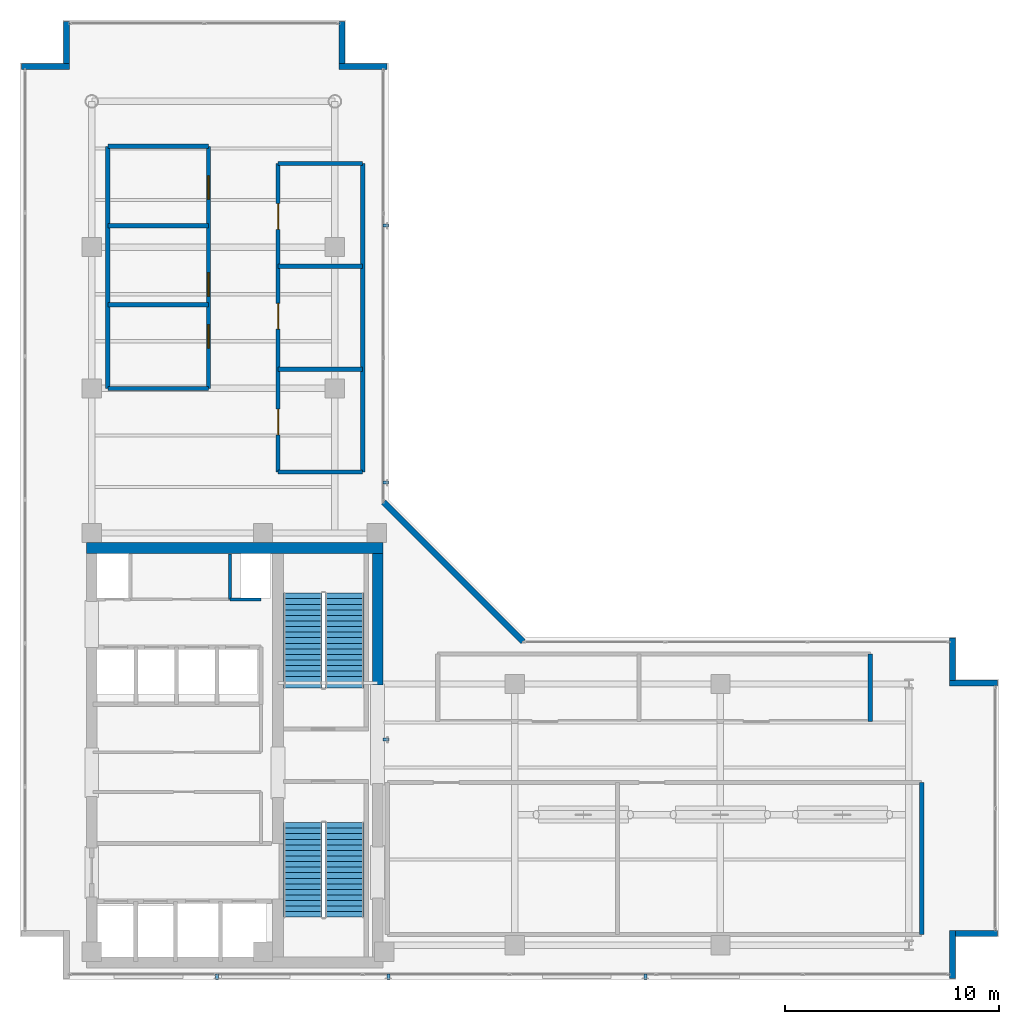
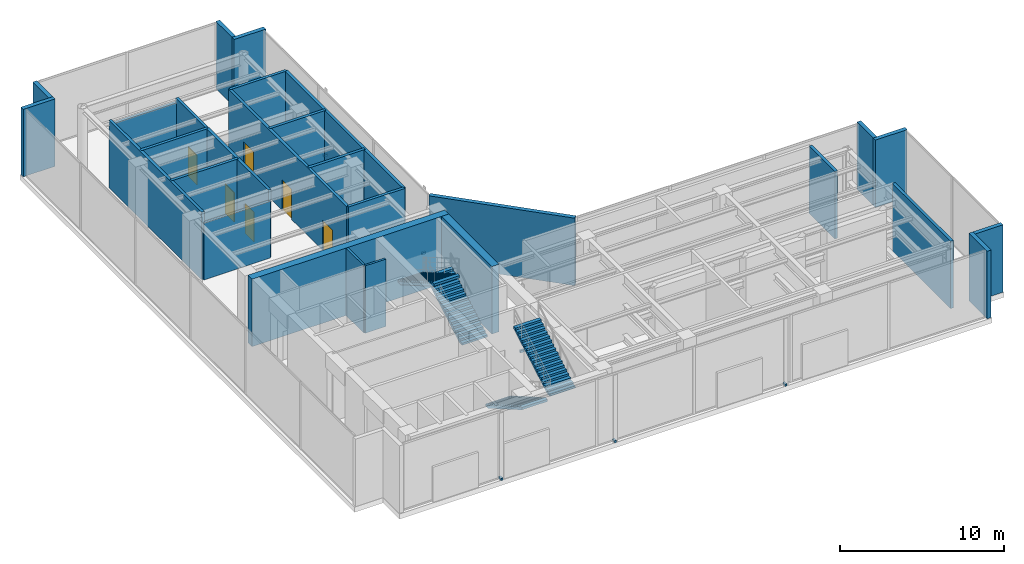
# One storey, part 26 of 29: 27 walls, 6 discrete accessories, 6 doors, 4 stair flights, 6 openings, 2 elements without a shape of their own.
"""IFC4 building model written with IfcOpenShell, lengths in metres."""

from ifc_helpers import new_model, si_unit, direction, frame, frame_2d, origin, origin_with_axes, origin_2d, place, context, subcontext, project, spatial, polyline, rectangle, outline, extrude, source, transform, mapped, material, layer, layer_set, type_object, element, fill, aggregate, save


model = new_model("IFC4")

# Units and contexts
model_context = context("Model", 3, precision=1e-05, world=origin(), true_north=direction((0.0, 1.0)))
body_context = subcontext(model_context, "Body", "Model", "MODEL_VIEW")
ifc_project = project(units=[si_unit("LENGTHUNIT", "METRE"), si_unit("AREAUNIT", "SQUARE_METRE"), si_unit("VOLUMEUNIT", "CUBIC_METRE"), si_unit("PLANEANGLEUNIT", "RADIAN"), si_unit("MASSUNIT", "GRAM", prefix="KILO")], contexts=[model_context])

# Site, building, storey
site_placement = place(None, origin())
site = spatial("IfcSite", under=ifc_project, at=site_placement, CompositionType="ELEMENT")
building_placement = place(site_placement, origin())
building = spatial("IfcBuilding", under=site, at=building_placement, Name="Kolvaren Waterfront Exchange", CompositionType="ELEMENT")
storey_placement = place(building_placement, frame((0.0, 0.0, 338.800048828125)))
storey = spatial("IfcBuildingStorey", under=building, at=storey_placement, Name="L87", CompositionType="ELEMENT", Elevation=338.800048828125)

# Walls
ifc_material_1 = material(Name="Precast concrete C40/50", Category="concrete")
ifc_layer_1 = layer(ifc_material_1, 0.280029296875, Name="Precast concrete C40/50")
ifc_layer_set_1 = layer_set([ifc_layer_1], Name="Precast concrete C40/50")
wall_type_1 = type_object("IfcWallType", Name="ARC-EXT-TERR-280", PredefinedType="SOLIDWALL", material=ifc_layer_set_1)
wall_1_placement = place(storey_placement, frame((47.639892578125, 3.659912109375, 0.0), z_axis=(0.0, 0.0, 1.0), x_axis=(0.0, 1.0, 0.0)))
element("IfcWall", 1, at=wall_1_placement, inside=storey, type_object=wall_type_1, Name="L87 notched corner spandrel pier SE-A", PredefinedType="SOLIDWALL", context=body_context, shape_type="SweptSolid", body=[
    extrude(rectangle(XDim=2.239990234375, YDim=0.280029296875, at=frame_2d((1.1201171875, 0.0))), origin(), (0.0, 0.0, 1.0), 5.02001953125),
])
wall_2_placement = place(storey_placement, frame((47.780029296875, 5.760009765625, 0.0), z_axis=(0.0, 0.0, 1.0), x_axis=(1.0, 0.0, 0.0)))
element("IfcWall", 2, at=wall_2_placement, inside=storey, type_object=wall_type_1, Name="L87 notched corner spandrel pier SE-B", PredefinedType="SOLIDWALL", context=body_context, shape_type="SweptSolid", body=[
    extrude(rectangle(XDim=1.9599609375, YDim=0.280029296875, at=frame_2d((0.97998046875, 0.0))), origin(), (0.0, 0.0, 1.0), 5.02001953125),
])
wall_3_placement = place(storey_placement, frame((47.639892578125, 17.56494140625, 0.0), z_axis=(0.0, 0.0, 1.0), x_axis=(0.0, 1.0, 0.0)))
element("IfcWall", 3, at=wall_3_placement, inside=storey, type_object=wall_type_1, Name="L87 notched corner spandrel pier ENE-A", PredefinedType="SOLIDWALL", context=body_context, shape_type="SweptSolid", body=[
    extrude(rectangle(XDim=1.97509765625, YDim=0.280029296875, at=frame_2d((0.987548828125, 0.0))), origin(), (0.0, 0.0, 1.0), 5.02001953125),
])
for number, where, z_axis, x_axis, name in (
    (4, (47.5, 17.43994140625, 0.0), (0.0, 0.0, 1.0), (1.0, 0.0, 0.0), "L87 notched corner spandrel pier ENE-B"),
    (5, (19.0, 46.239990234375, 0.0), (0.0, 0.0, 1.0), (1.0, 0.0, 0.0), "L87 notched corner spandrel pier NNE-A"),
):
    element("IfcWall", number, at=place(storey_placement, frame(where, z_axis=z_axis, x_axis=x_axis)), inside=storey, type_object=wall_type_1, Name=name, PredefinedType="SOLIDWALL", context=body_context, shape_type="SweptSolid", body=[
        extrude(rectangle(XDim=2.239990234375, YDim=0.280029296875, at=frame_2d((1.1201171875, 0.0))), origin(), (0.0, 0.0, 1.0), 5.02001953125),
    ])
wall_4_placement = place(storey_placement, frame((19.139892578125, 46.3798828125, 0.0), z_axis=(0.0, 0.0, 1.0), x_axis=(0.0, 1.0, 0.0)))
element("IfcWall", 6, at=wall_4_placement, inside=storey, type_object=wall_type_1, Name="L87 notched corner spandrel pier NNE-B", PredefinedType="SOLIDWALL", context=body_context, shape_type="SweptSolid", body=[
    extrude(rectangle(XDim=1.960205078125, YDim=0.280029296875, at=frame_2d((0.97998046875, 0.0))), origin(), (0.0, 0.0, 1.0), 5.02001953125),
])
wall_5_placement = place(storey_placement, frame((4.159912109375, 46.239990234375, 0.0), z_axis=(0.0, 0.0, 1.0), x_axis=(1.0, 0.0, 0.0)))
element("IfcWall", 7, at=wall_5_placement, inside=storey, type_object=wall_type_1, Name="L87 notched corner spandrel pier NW-A", PredefinedType="SOLIDWALL", context=body_context, shape_type="SweptSolid", body=[
    extrude(rectangle(XDim=2.239990234375, YDim=0.280029296875, at=frame_2d((1.1201171875, 0.0))), origin(), (0.0, 0.0, 1.0), 5.02001953125),
])
wall_6_placement = place(storey_placement, frame((6.260009765625, 46.3798828125, 0.0), z_axis=(0.0, 0.0, 1.0), x_axis=(0.0, 1.0, 0.0)))
element("IfcWall", 8, at=wall_6_placement, inside=storey, type_object=wall_type_1, Name="L87 notched corner spandrel pier NW-B", PredefinedType="SOLIDWALL", context=body_context, shape_type="SweptSolid", body=[
    extrude(rectangle(XDim=1.960205078125, YDim=0.280029296875, at=frame_2d((0.97998046875, 0.0))), origin(), (0.0, 0.0, 1.0), 5.02001953125),
])
wall_7_placement = place(storey_placement, frame((27.5849609375, 19.375, 0.0), z_axis=(0.0, 0.0, 1.0), x_axis=(-0.707106781187, 0.707106781187, 0.0)))
element("IfcWall", 9, at=wall_7_placement, inside=storey, type_object=wall_type_1, Name="L87 notched corner spandrel pier ELBOW", PredefinedType="SOLIDWALL", context=body_context, shape_type="SweptSolid", body=[
    extrude(rectangle(XDim=9.20654296875, YDim=0.280029296875, at=frame_2d((4.603271484375, 0.0))), origin(), (0.0, 0.0, 1.0), 5.02001953125),
])
ifc_layer_2 = layer(ifc_material_1, 0.199951171875, Name="Precast concrete C40/50")
ifc_layer_set_2 = layer_set([ifc_layer_2], Name="Precast concrete C40/50")
wall_type_2 = type_object("IfcWallType", Name="ARC-FIRE-200", PredefinedType="PARTITIONING", material=ifc_layer_set_2)
wall_8_placement = place(storey_placement, frame((43.800048828125, 15.64990234375, 0.0), z_axis=(0.0, 0.0, 1.0), x_axis=(0.0, 1.0, 0.0)))
element("IfcWall", 10, at=wall_8_placement, inside=storey, type_object=wall_type_2, Name="L87 interior wall PW-L87-NEPL-E", PredefinedType="PARTITIONING", context=body_context, shape_type="SweptSolid", body=[
    extrude(rectangle(XDim=3.150146484375, YDim=0.199951171875, at=frame_2d((1.5751953125, 0.0))), origin(), (0.0, 0.0, 1.0), 5.02001953125),
])
wall_9_placement = place(storey_placement, frame((46.199951171875, 5.699951171875, 0.0), z_axis=(0.0, 0.0, 1.0), x_axis=(0.0, 1.0, 0.0)))
element("IfcWall", 11, at=wall_9_placement, inside=storey, type_object=wall_type_2, Name="L87 interior wall PW-L87-PL-E1", PredefinedType="PARTITIONING", context=body_context, shape_type="SweptSolid", body=[
    extrude(rectangle(XDim=7.10009765625, YDim=0.199951171875, at=frame_2d((3.550048828125, 0.0))), origin(), (0.0, 0.0, 1.0), 5.02001953125),
])

# Wall, openings, doors
wall_10_placement = place(storey_placement, frame((12.89990234375, 31.199951171875, 0.0), z_axis=(0.0, 0.0, 1.0), x_axis=(0.0, 1.0, 0.0)))
wall_10 = element("IfcWall", 12, at=wall_10_placement, inside=storey, type_object=wall_type_2, Name="L87 interior wall PW-L87-PL-E3", PredefinedType="PARTITIONING", context=body_context, shape_type="SweptSolid", body=[
    extrude(rectangle(XDim=11.300048828125, YDim=0.199951171875, at=frame_2d((5.64990234375, 0.0))), origin(), (0.0, 0.0, 1.0), 5.02001953125),
])
opening_1_placement = place(wall_10_placement, frame((1.875, 0.0, 0.0)))
opening_1 = element("IfcOpeningElement", 13, at=opening_1_placement, cuts=wall_10, Name="Opening FD2", PredefinedType="OPENING", context=body_context, shape_type="SweptSolid", body=[
    extrude(rectangle(XDim=1.10009765625, YDim=2.199951171875, at=frame_2d((0.550048828125, 1.10009765625))), frame((0.0, 0.10986328125, 0.0), z_axis=(0.0, -1.0, 0.0), x_axis=(1.0, 0.0, 0.0)), (0.0, 0.0, 1.0), 0.219970703125),
])
opening_2_placement = place(wall_10_placement, frame((4.300048828125, 0.0, 0.0)))
opening_2 = element("IfcOpeningElement", 14, at=opening_2_placement, cuts=wall_10, Name="Opening FD2", PredefinedType="OPENING", context=body_context, shape_type="SweptSolid", body=[
    extrude(rectangle(XDim=1.10009765625, YDim=2.199951171875, at=frame_2d((0.550048828125, 1.10009765625))), frame((0.0, 0.10986328125, 0.0), z_axis=(0.0, -1.0, 0.0), x_axis=(1.0, 0.0, 0.0)), (0.0, 0.0, 1.0), 0.219970703125),
])
opening_3_placement = place(wall_10_placement, frame((8.827392578125, 0.0, 0.0)))
opening_3 = element("IfcOpeningElement", 15, at=opening_3_placement, cuts=wall_10, Name="Opening FD2", PredefinedType="OPENING", context=body_context, shape_type="SweptSolid", body=[
    extrude(rectangle(XDim=1.10009765625, YDim=2.199951171875, at=frame_2d((0.550048828125, 1.10009765625))), frame((0.0, 0.10986328125, 0.0), z_axis=(0.0, -1.0, 0.0), x_axis=(1.0, 0.0, 0.0)), (0.0, 0.0, 1.0), 0.219970703125),
])
ifc_material_2 = material(Name="Pressed steel smoke-seal fire door", Category="steel")
door_type_1 = type_object("IfcDoorType", Name="ARC-FD-1100", OperationType="NOTDEFINED", PredefinedType="DOOR", material=ifc_material_2)
door_1_placement = place(opening_1_placement, origin())
door_1 = element("IfcDoor", 16, at=door_1_placement, inside=storey, type_object=door_type_1, Name="L87 door DR-L87-PLNW-D1 (FD2)", OperationType="SINGLE_SWING_LEFT", OverallHeight=2.199951171875, OverallWidth=1.10009765625, PredefinedType="DOOR", context=body_context, shape_type="SweptSolid", body=[
    extrude(rectangle(XDim=1.10009765625, YDim=2.199951171875, at=frame_2d((0.550048828125, 1.10009765625))), frame((0.0, 0.02490234375, 0.0), z_axis=(0.0, -1.0, 0.0), x_axis=(1.0, 0.0, 0.0)), (0.0, 0.0, 1.0), 0.050048828125),
])
fill(opening_1, door_1)
door_2_placement = place(opening_2_placement, origin())
door_2 = element("IfcDoor", 17, at=door_2_placement, inside=storey, type_object=door_type_1, Name="L87 door DR-L87-PLNW-D2 (FD2)", OperationType="SINGLE_SWING_RIGHT", OverallHeight=2.199951171875, OverallWidth=1.10009765625, PredefinedType="DOOR", context=body_context, shape_type="SweptSolid", body=[
    extrude(rectangle(XDim=1.10009765625, YDim=2.199951171875, at=frame_2d((0.550048828125, 1.10009765625))), frame((0.0, 0.02490234375, 0.0), z_axis=(0.0, -1.0, 0.0), x_axis=(1.0, 0.0, 0.0)), (0.0, 0.0, 1.0), 0.050048828125),
])
fill(opening_2, door_2)
door_3_placement = place(opening_3_placement, origin())
door_3 = element("IfcDoor", 18, at=door_3_placement, inside=storey, type_object=door_type_1, Name="L87 door DR-L87-PLNW-D3 (FD2)", OperationType="SINGLE_SWING_LEFT", OverallHeight=2.199951171875, OverallWidth=1.10009765625, PredefinedType="DOOR", context=body_context, shape_type="SweptSolid", body=[
    extrude(rectangle(XDim=1.10009765625, YDim=2.199951171875, at=frame_2d((0.550048828125, 1.10009765625))), frame((0.0, 0.02490234375, 0.0), z_axis=(0.0, -1.0, 0.0), x_axis=(1.0, 0.0, 0.0)), (0.0, 0.0, 1.0), 0.050048828125),
])
fill(opening_3, door_3)

# Walls
wall_11_placement = place(storey_placement, frame((8.199951171875, 31.199951171875, 0.0), z_axis=(0.0, 0.0, 1.0), x_axis=(0.0, 1.0, 0.0)))
element("IfcWall", 19, at=wall_11_placement, inside=storey, type_object=wall_type_2, Name="L87 interior wall PW-L87-PL-W3", PredefinedType="PARTITIONING", context=body_context, shape_type="SweptSolid", body=[
    extrude(rectangle(XDim=11.300048828125, YDim=0.199951171875, at=frame_2d((5.64990234375, 0.0))), origin(), (0.0, 0.0, 1.0), 5.02001953125),
])
wall_12_placement = place(storey_placement, frame((8.199951171875, 31.199951171875, 0.0), z_axis=(0.0, 0.0, 1.0), x_axis=(1.0, 0.0, 0.0)))
element("IfcWall", 20, at=wall_12_placement, inside=storey, type_object=wall_type_2, Name="L87 interior wall PW-L87-PL-S3", PredefinedType="PARTITIONING", context=body_context, shape_type="SweptSolid", body=[
    extrude(rectangle(XDim=4.699951171875, YDim=0.199951171875, at=frame_2d((2.35009765625, 0.0))), origin(), (0.0, 0.0, 1.0), 4.219970703125),
])
wall_13_placement = place(storey_placement, frame((8.199951171875, 42.5, 0.0), z_axis=(0.0, 0.0, 1.0), x_axis=(1.0, 0.0, 0.0)))
element("IfcWall", 21, at=wall_13_placement, inside=storey, type_object=wall_type_2, Name="L87 interior wall PW-L87-PL-N3", PredefinedType="PARTITIONING", context=body_context, shape_type="SweptSolid", body=[
    extrude(rectangle(XDim=4.699951171875, YDim=0.199951171875, at=frame_2d((2.35009765625, 0.0))), origin(), (0.0, 0.0, 1.0), 4.719970703125),
])
for number, where, z_axis, x_axis, name in (
    (22, (8.199951171875, 35.10009765625, 0.0), (0.0, 0.0, 1.0), (1.0, 0.0, 0.0), "L87 interior wall PW-L87-PL-M3-1"),
    (23, (8.199951171875, 38.800048828125, 0.0), (0.0, 0.0, 1.0), (1.0, 0.0, 0.0), "L87 interior wall PW-L87-PL-M3-2"),
):
    element("IfcWall", number, at=place(storey_placement, frame(where, z_axis=z_axis, x_axis=x_axis)), inside=storey, type_object=wall_type_2, Name=name, PredefinedType="PARTITIONING", context=body_context, shape_type="SweptSolid", body=[
        extrude(rectangle(XDim=4.699951171875, YDim=0.199951171875, at=frame_2d((2.35009765625, 0.0))), origin(), (0.0, 0.0, 1.0), 5.02001953125),
    ])

# Wall, openings, doors
wall_14_placement = place(storey_placement, frame((16.14990234375, 27.300048828125, 0.0), z_axis=(0.0, 0.0, 1.0), x_axis=(0.0, 1.0, 0.0)))
wall_14 = element("IfcWall", 24, at=wall_14_placement, inside=storey, type_object=wall_type_2, Name="L87 interior wall PW-L87-PL-W4", PredefinedType="PARTITIONING", context=body_context, shape_type="SweptSolid", body=[
    extrude(rectangle(XDim=14.39990234375, YDim=0.199951171875, at=frame_2d((7.199951171875, 0.0))), origin(), (0.0, 0.0, 1.0), 5.02001953125),
])
opening_4_placement = place(wall_14_placement, frame((1.72900390625, 0.0, 0.0)))
opening_4 = element("IfcOpeningElement", 25, at=opening_4_placement, cuts=wall_14, Name="Opening FD3", PredefinedType="OPENING", context=body_context, shape_type="SweptSolid", body=[
    extrude(rectangle(XDim=1.199951171875, YDim=2.25, at=frame_2d((0.60009765625, 1.125))), frame((0.0, 0.10986328125, 0.0), z_axis=(0.0, -1.0, 0.0), x_axis=(1.0, 0.0, 0.0)), (0.0, 0.0, 1.0), 0.219970703125),
])
opening_5_placement = place(wall_14_placement, frame((6.671142578125, 0.0, 0.0)))
opening_5 = element("IfcOpeningElement", 26, at=opening_5_placement, cuts=wall_14, Name="Opening FD3", PredefinedType="OPENING", context=body_context, shape_type="SweptSolid", body=[
    extrude(rectangle(XDim=1.199951171875, YDim=2.25, at=frame_2d((0.60009765625, 1.125))), frame((0.0, 0.10986328125, 0.0), z_axis=(0.0, -1.0, 0.0), x_axis=(1.0, 0.0, 0.0)), (0.0, 0.0, 1.0), 0.219970703125),
])
opening_6_placement = place(wall_14_placement, frame((11.328857421875, 0.0, 0.0)))
opening_6 = element("IfcOpeningElement", 27, at=opening_6_placement, cuts=wall_14, Name="Opening FD3", PredefinedType="OPENING", context=body_context, shape_type="SweptSolid", body=[
    extrude(rectangle(XDim=1.199951171875, YDim=2.25, at=frame_2d((0.60009765625, 1.125))), frame((0.0, 0.10986328125, 0.0), z_axis=(0.0, -1.0, 0.0), x_axis=(1.0, 0.0, 0.0)), (0.0, 0.0, 1.0), 0.219970703125),
])
ifc_material_3 = material(Name="Pressed steel fire door", Category="steel")
door_type_2 = type_object("IfcDoorType", Name="ARC-FD-1200", OperationType="NOTDEFINED", PredefinedType="DOOR", material=ifc_material_3)
door_4_placement = place(opening_4_placement, origin())
door_4 = element("IfcDoor", 28, at=door_4_placement, inside=storey, type_object=door_type_2, Name="L87 door DR-L87-PLNER-D1 (FD3)", OperationType="SINGLE_SWING_RIGHT", OverallHeight=2.25, OverallWidth=1.199951171875, PredefinedType="DOOR", context=body_context, shape_type="SweptSolid", body=[
    extrude(rectangle(XDim=1.199951171875, YDim=2.25, at=frame_2d((0.60009765625, 1.125))), frame((0.0, 0.02490234375, 0.0), z_axis=(0.0, -1.0, 0.0), x_axis=(1.0, 0.0, 0.0)), (0.0, 0.0, 1.0), 0.050048828125),
])
fill(opening_4, door_4)
door_5_placement = place(opening_5_placement, origin())
door_5 = element("IfcDoor", 29, at=door_5_placement, inside=storey, type_object=door_type_2, Name="L87 door DR-L87-PLNER-D2 (FD3)", OperationType="SINGLE_SWING_LEFT", OverallHeight=2.25, OverallWidth=1.199951171875, PredefinedType="DOOR", context=body_context, shape_type="SweptSolid", body=[
    extrude(rectangle(XDim=1.199951171875, YDim=2.25, at=frame_2d((0.60009765625, 1.125))), frame((0.0, 0.02490234375, 0.0), z_axis=(0.0, -1.0, 0.0), x_axis=(1.0, 0.0, 0.0)), (0.0, 0.0, 1.0), 0.050048828125),
])
fill(opening_5, door_5)
door_6_placement = place(opening_6_placement, origin())
door_6 = element("IfcDoor", 30, at=door_6_placement, inside=storey, type_object=door_type_2, Name="L87 door DR-L87-PLNER-D3 (FD3)", OperationType="SINGLE_SWING_RIGHT", OverallHeight=2.25, OverallWidth=1.199951171875, PredefinedType="DOOR", context=body_context, shape_type="SweptSolid", body=[
    extrude(rectangle(XDim=1.199951171875, YDim=2.25, at=frame_2d((0.60009765625, 1.125))), frame((0.0, 0.02490234375, 0.0), z_axis=(0.0, -1.0, 0.0), x_axis=(1.0, 0.0, 0.0)), (0.0, 0.0, 1.0), 0.050048828125),
])
fill(opening_6, door_6)

# Walls
wall_15_placement = place(storey_placement, frame((20.10009765625, 27.300048828125, 0.0), z_axis=(0.0, 0.0, 1.0), x_axis=(0.0, 1.0, 0.0)))
element("IfcWall", 31, at=wall_15_placement, inside=storey, type_object=wall_type_2, Name="L87 interior wall PW-L87-PL-E4", PredefinedType="PARTITIONING", context=body_context, shape_type="SweptSolid", body=[
    extrude(rectangle(XDim=14.39990234375, YDim=0.199951171875, at=frame_2d((7.199951171875, 0.0))), origin(), (0.0, 0.0, 1.0), 5.02001953125),
])
for number, where, z_axis, x_axis, name in (
    (32, (16.14990234375, 27.300048828125, 0.0), (0.0, 0.0, 1.0), (1.0, 0.0, 0.0), "L87 interior wall PW-L87-PL-S4"),
    (33, (16.14990234375, 41.699951171875, 0.0), (0.0, 0.0, 1.0), (1.0, 0.0, 0.0), "L87 interior wall PW-L87-PL-N4"),
    (34, (16.14990234375, 32.10009765625, 0.0), (0.0, 0.0, 1.0), (1.0, 0.0, 0.0), "L87 interior wall PW-L87-PL-M4-1"),
    (35, (16.14990234375, 36.89990234375, 0.0), (0.0, 0.0, 1.0), (1.0, 0.0, 0.0), "L87 interior wall PW-L87-PL-M4-2"),
):
    element("IfcWall", number, at=place(storey_placement, frame(where, z_axis=z_axis, x_axis=x_axis)), inside=storey, type_object=wall_type_2, Name=name, PredefinedType="PARTITIONING", context=body_context, shape_type="SweptSolid", body=[
        extrude(rectangle(XDim=3.9501953125, YDim=0.199951171875, at=frame_2d((1.97509765625, 0.0))), origin(), (0.0, 0.0, 1.0), 5.02001953125),
    ])
ifc_material_4 = material(Name="Gypsum fireboard steel stud", Category="steel")
ifc_layer_3 = layer(ifc_material_4, 0.14990234375, Name="Gypsum fireboard steel stud")
ifc_layer_set_3 = layer_set([ifc_layer_3], Name="Gypsum fireboard steel stud")
wall_type_3 = type_object("IfcWallType", Name="ARC-PART-150", PredefinedType="PARTITIONING", material=ifc_layer_set_3)
wall_16_placement = place(storey_placement, frame((13.89990234375, 21.35009765625, 0.0), z_axis=(0.0, 0.0, 1.0), x_axis=(0.0, 1.0, 0.0)))
element("IfcWall", 36, at=wall_16_placement, inside=storey, type_object=wall_type_3, Name="L87 interior wall PW-L87-SVC-R2", PredefinedType="PARTITIONING", context=body_context, shape_type="SweptSolid", body=[
    extrude(rectangle(XDim=2.1298828125, YDim=0.14990234375, at=frame_2d((1.06494140625, 0.0))), origin(), (0.0, 0.0, 1.0), 5.02001953125),
])
wall_17_placement = place(storey_placement, frame((13.89990234375, 21.35009765625, 0.0), z_axis=(0.0, 0.0, 1.0), x_axis=(1.0, 0.0, 0.0)))
element("IfcWall", 37, at=wall_17_placement, inside=storey, type_object=wall_type_3, Name="L87 interior wall PW-L87-SVC-RP-S", PredefinedType="PARTITIONING", context=body_context, shape_type="SweptSolid", body=[
    extrude(rectangle(XDim=1.4501953125, YDim=0.14990234375, at=frame_2d((0.72509765625, 0.0))), origin(), (0.0, 0.0, 1.0), 5.02001953125),
])
ifc_material_5 = material(Name="Concrete C50/60", Category="concrete")
ifc_layer_4 = layer(ifc_material_5, 0.5, Name="Concrete C50/60")
ifc_layer_set_4 = layer_set([ifc_layer_4], Name="Concrete C50/60")
wall_type_4 = type_object("IfcWallType", Name="STR-CWALL-500", PredefinedType="SHEAR", material=ifc_layer_set_4)
wall_18_placement = place(storey_placement, frame((7.199951171875, 23.75, 0.0), z_axis=(0.0, 0.0, 1.0), x_axis=(1.0, 0.0, 0.0)))
element("IfcWall", 38, at=wall_18_placement, inside=storey, type_object=wall_type_4, Name="L87 rear-core shear wall N", PredefinedType="SHEAR", context=body_context, shape_type="SweptSolid", body=[
    extrude(rectangle(XDim=13.85009765625, YDim=0.5, at=frame_2d((6.925048828125, 0.0))), origin(), (0.0, 0.0, 1.0), 5.02001953125),
])
wall_19_placement = place(storey_placement, frame((20.800048828125, 17.35009765625, 0.0), z_axis=(0.0, 0.0, 1.0), x_axis=(0.0, 1.0, 0.0)))
element("IfcWall", 39, at=wall_19_placement, inside=storey, type_object=wall_type_4, Name="L87 rear-core shear wall E3", PredefinedType="SHEAR", context=body_context, shape_type="SweptSolid", body=[
    extrude(rectangle(XDim=6.14990234375, YDim=0.5, at=frame_2d((3.074951171875, 0.0))), origin(), (0.0, 0.0, 1.0), 5.02001953125),
])

# Stair, stair flights
ifc_material_6 = material(Name="Concrete C40/50", Category="concrete")
stair_type = type_object("IfcStairType", Name="ARC-STAIR-5400", PredefinedType="HALF_TURN_STAIR", material=ifc_material_6)
stair_1_placement = place(storey_placement, origin())
stair_1 = element("IfcStair", 40, at=stair_1_placement, inside=storey, type_object=stair_type, Name="L87 Smoke-proof exit stair ST1", PredefinedType="HALF_TURN_STAIR")
stair_flight_type = type_object("IfcStairFlightType", Name="ARC-FLIGHT-5400", PredefinedType="STRAIGHT", material=ifc_material_6)
stair_flight_1_placement = place(storey_placement, frame((17.300048828125, 10.929931640625, 0.0), z_axis=(0.0, 0.0, 1.0), x_axis=(0.0, -1.0, 0.0)))
stair_flight_1 = element("IfcStairFlight", 41, at=stair_flight_1_placement, type_object=stair_flight_type, Name="ST1 flight 1", NumberOfRisers=18, NumberOfTreads=17, PredefinedType="STRAIGHT", RiserHeight=0.15, TreadLength=0.26, context=body_context, shape_type="SweptSolid", body=[
    extrude(outline(polyline([(0.0, 0.0), (0.0, 0.14990234375), (0.260009765625, 0.14990234375), (0.260009765625, 0.300048828125), (0.52001953125, 0.300048828125), (0.52001953125, 0.449951171875), (0.780029296875, 0.449951171875), (0.780029296875, 0.60009765625), (1.0400390625, 0.60009765625), (1.0400390625, 0.75), (1.300048828125, 0.75), (1.300048828125, 0.89990234375), (1.56005859375, 0.89990234375), (1.56005859375, 1.050048828125), (1.820068359375, 1.050048828125), (1.820068359375, 1.199951171875), (2.080078125, 1.199951171875), (2.080078125, 1.35009765625), (2.340087890625, 1.35009765625), (2.340087890625, 1.5), (2.60009765625, 1.5), (2.60009765625, 1.64990234375), (2.860107421875, 1.64990234375), (2.860107421875, 1.800048828125), (3.1201171875, 1.800048828125), (3.1201171875, 1.949951171875), (3.3798828125, 1.949951171875), (3.3798828125, 2.10009765625), (3.639892578125, 2.10009765625), (3.639892578125, 2.25), (3.89990234375, 2.25), (3.89990234375, 2.39990234375), (4.159912109375, 2.39990234375), (4.159912109375, 2.550048828125), (4.419921875, 2.550048828125), (4.419921875, 2.699951171875), (4.419921875, 2.376953125), (0.300048828125, 0.0), (0.0, 0.0)])), frame((0.0, 0.89990234375, 0.0), z_axis=(0.0, -1.0, 0.0), x_axis=(1.0, 0.0, 0.0)), (0.0, 0.0, 1.0), 1.800048828125),
])
stair_flight_2_placement = place(storey_placement, frame((19.260009765625, 6.510009765625, 2.699951171875), z_axis=(0.0, 0.0, 1.0), x_axis=(0.0, 1.0, 0.0)))
stair_flight_2 = element("IfcStairFlight", 42, at=stair_flight_2_placement, type_object=stair_flight_type, Name="ST1 flight 2", NumberOfRisers=18, NumberOfTreads=17, PredefinedType="STRAIGHT", RiserHeight=0.15, TreadLength=0.26, context=body_context, shape_type="SweptSolid", body=[
    extrude(outline(polyline([(0.0, 0.0), (0.0, 0.14990234375), (0.260009765625, 0.14990234375), (0.260009765625, 0.300048828125), (0.52001953125, 0.300048828125), (0.52001953125, 0.449951171875), (0.780029296875, 0.449951171875), (0.780029296875, 0.60009765625), (1.0400390625, 0.60009765625), (1.0400390625, 0.75), (1.300048828125, 0.75), (1.300048828125, 0.89990234375), (1.56005859375, 0.89990234375), (1.56005859375, 1.050048828125), (1.820068359375, 1.050048828125), (1.820068359375, 1.199951171875), (2.080078125, 1.199951171875), (2.080078125, 1.35009765625), (2.340087890625, 1.35009765625), (2.340087890625, 1.5), (2.60009765625, 1.5), (2.60009765625, 1.64990234375), (2.860107421875, 1.64990234375), (2.860107421875, 1.800048828125), (3.1201171875, 1.800048828125), (3.1201171875, 1.949951171875), (3.3798828125, 1.949951171875), (3.3798828125, 2.10009765625), (3.639892578125, 2.10009765625), (3.639892578125, 2.25), (3.89990234375, 2.25), (3.89990234375, 2.39990234375), (4.159912109375, 2.39990234375), (4.159912109375, 2.550048828125), (4.419921875, 2.550048828125), (4.419921875, 2.699951171875), (4.419921875, 2.376953125), (0.300048828125, 0.0), (0.0, 0.0)])), frame((0.0, 0.89990234375, 0.0), z_axis=(0.0, -1.0, 0.0), x_axis=(1.0, 0.0, 0.0)), (0.0, 0.0, 1.0), 1.800048828125),
])
aggregate(stair_1, [stair_flight_1, stair_flight_2])

stair_2_placement = place(storey_placement, origin())
stair_2 = element("IfcStair", 43, at=stair_2_placement, inside=storey, type_object=stair_type, Name="L87 Smoke-proof exit stair ST2", PredefinedType="HALF_TURN_STAIR")
stair_flight_3_placement = place(storey_placement, frame((19.260009765625, 17.219970703125, 0.0), z_axis=(0.0, 0.0, 1.0), x_axis=(0.0, 1.0, 0.0)))
stair_flight_3 = element("IfcStairFlight", 44, at=stair_flight_3_placement, type_object=stair_flight_type, Name="ST2 flight 1", NumberOfRisers=18, NumberOfTreads=17, PredefinedType="STRAIGHT", RiserHeight=0.15, TreadLength=0.26, context=body_context, shape_type="SweptSolid", body=[
    extrude(outline(polyline([(0.0, 0.0), (0.0, 0.14990234375), (0.260009765625, 0.14990234375), (0.260009765625, 0.300048828125), (0.52001953125, 0.300048828125), (0.52001953125, 0.449951171875), (0.780029296875, 0.449951171875), (0.780029296875, 0.60009765625), (1.0400390625, 0.60009765625), (1.0400390625, 0.75), (1.300048828125, 0.75), (1.300048828125, 0.89990234375), (1.56005859375, 0.89990234375), (1.56005859375, 1.050048828125), (1.820068359375, 1.050048828125), (1.820068359375, 1.199951171875), (2.080078125, 1.199951171875), (2.080078125, 1.35009765625), (2.340087890625, 1.35009765625), (2.340087890625, 1.5), (2.60009765625, 1.5), (2.60009765625, 1.64990234375), (2.860107421875, 1.64990234375), (2.860107421875, 1.800048828125), (3.1201171875, 1.800048828125), (3.1201171875, 1.949951171875), (3.3798828125, 1.949951171875), (3.3798828125, 2.10009765625), (3.639892578125, 2.10009765625), (3.639892578125, 2.25), (3.89990234375, 2.25), (3.89990234375, 2.39990234375), (4.159912109375, 2.39990234375), (4.159912109375, 2.550048828125), (4.419921875, 2.550048828125), (4.419921875, 2.699951171875), (4.419921875, 2.376953125), (0.300048828125, 0.0), (0.0, 0.0)])), frame((0.0, 0.89990234375, 0.0), z_axis=(0.0, -1.0, 0.0), x_axis=(1.0, 0.0, 0.0)), (0.0, 0.0, 1.0), 1.800048828125),
])
stair_flight_4_placement = place(storey_placement, frame((17.300048828125, 21.639892578125, 2.699951171875), z_axis=(0.0, 0.0, 1.0), x_axis=(0.0, -1.0, 0.0)))
stair_flight_4 = element("IfcStairFlight", 45, at=stair_flight_4_placement, type_object=stair_flight_type, Name="ST2 flight 2", NumberOfRisers=18, NumberOfTreads=17, PredefinedType="STRAIGHT", RiserHeight=0.15, TreadLength=0.26, context=body_context, shape_type="SweptSolid", body=[
    extrude(outline(polyline([(0.0, 0.0), (0.0, 0.14990234375), (0.260009765625, 0.14990234375), (0.260009765625, 0.300048828125), (0.52001953125, 0.300048828125), (0.52001953125, 0.449951171875), (0.780029296875, 0.449951171875), (0.780029296875, 0.60009765625), (1.0400390625, 0.60009765625), (1.0400390625, 0.75), (1.300048828125, 0.75), (1.300048828125, 0.89990234375), (1.56005859375, 0.89990234375), (1.56005859375, 1.050048828125), (1.820068359375, 1.050048828125), (1.820068359375, 1.199951171875), (2.080078125, 1.199951171875), (2.080078125, 1.35009765625), (2.340087890625, 1.35009765625), (2.340087890625, 1.5), (2.60009765625, 1.5), (2.60009765625, 1.64990234375), (2.860107421875, 1.64990234375), (2.860107421875, 1.800048828125), (3.1201171875, 1.800048828125), (3.1201171875, 1.949951171875), (3.3798828125, 1.949951171875), (3.3798828125, 2.10009765625), (3.639892578125, 2.10009765625), (3.639892578125, 2.25), (3.89990234375, 2.25), (3.89990234375, 2.39990234375), (4.159912109375, 2.39990234375), (4.159912109375, 2.550048828125), (4.419921875, 2.550048828125), (4.419921875, 2.699951171875), (4.419921875, 2.376953125), (0.300048828125, 0.0), (0.0, 0.0)])), frame((0.0, 0.89990234375, 0.0), z_axis=(0.0, -1.0, 0.0), x_axis=(1.0, 0.0, 0.0)), (0.0, 0.0, 1.0), 1.800048828125),
])
aggregate(stair_2, [stair_flight_3, stair_flight_4])

# Discrete accessories
ifc_material_7 = material(Name="Stainless steel 316", Category="steel")
discrete_accessory_type = type_object("IfcDiscreteAccessoryType", Name="ARC-BRK-FIN", PredefinedType="BRACKET", material=ifc_material_7)
shared_shape = source(origin_with_axes(), body_context, "Body", "SweptSolid", [
    extrude(rectangle(XDim=0.280029296875, YDim=0.139892578125, at=origin_2d()), origin(), (0.0, 0.0, 1.0), 0.159912109375),
])
for number, where, z_axis, x_axis, name in (
    (46, (13.300048828125, 3.719970703125, 0.0), (0.0, 0.0, 1.0), (0.0, -1.0, 0.0), "L87 bronze fin anchor bracket FIN-L87-S1"),
    (47, (21.300048828125, 3.719970703125, 0.0), (0.0, 0.0, 1.0), (0.0, -1.0, 0.0), "L87 bronze fin anchor bracket FIN-L87-S2"),
    (48, (33.300048828125, 3.719970703125, 0.0), (0.0, 0.0, 1.0), (0.0, -1.0, 0.0), "L87 bronze fin anchor bracket FIN-L87-S3"),
    (49, (21.179931640625, 14.800048828125, 0.0), (0.0, 0.0, 1.0), (1.0, 0.0, 0.0), "L87 bronze fin anchor bracket FIN-L87-E1"),
    (50, (21.179931640625, 26.800048828125, 0.0), (0.0, 0.0, 1.0), (1.0, 0.0, 0.0), "L87 bronze fin anchor bracket FIN-L87-E2"),
    (51, (21.179931640625, 38.800048828125, 0.0), (0.0, 0.0, 1.0), (1.0, 0.0, 0.0), "L87 bronze fin anchor bracket FIN-L87-E3"),
):
    element("IfcDiscreteAccessory", number, at=place(storey_placement, frame(where, z_axis=z_axis, x_axis=x_axis)), inside=storey, type_object=discrete_accessory_type, Name=name, PredefinedType="BRACKET", context=body_context, shape_type="MappedRepresentation", body=[
        mapped(shared_shape, transform((0.0, 0.0, 0.0), x_axis=(1.0, 0.0, 0.0), y_axis=(0.0, 1.0, 0.0), z_axis=(0.0, 0.0, 1.0), scale=1.0)),
    ])

save(model, "model.ifc")
